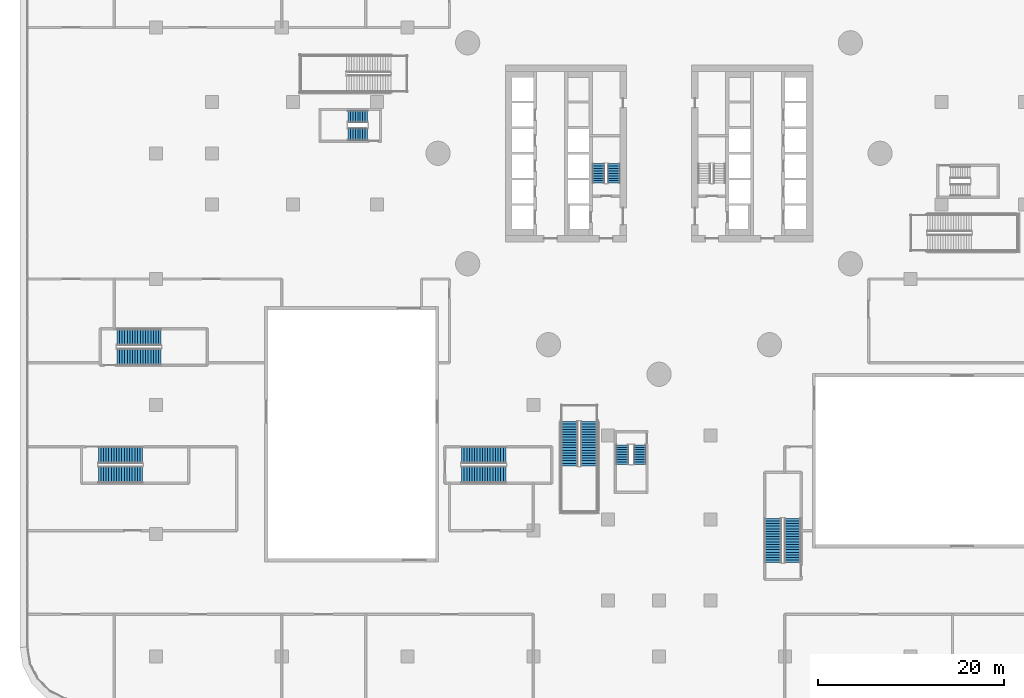
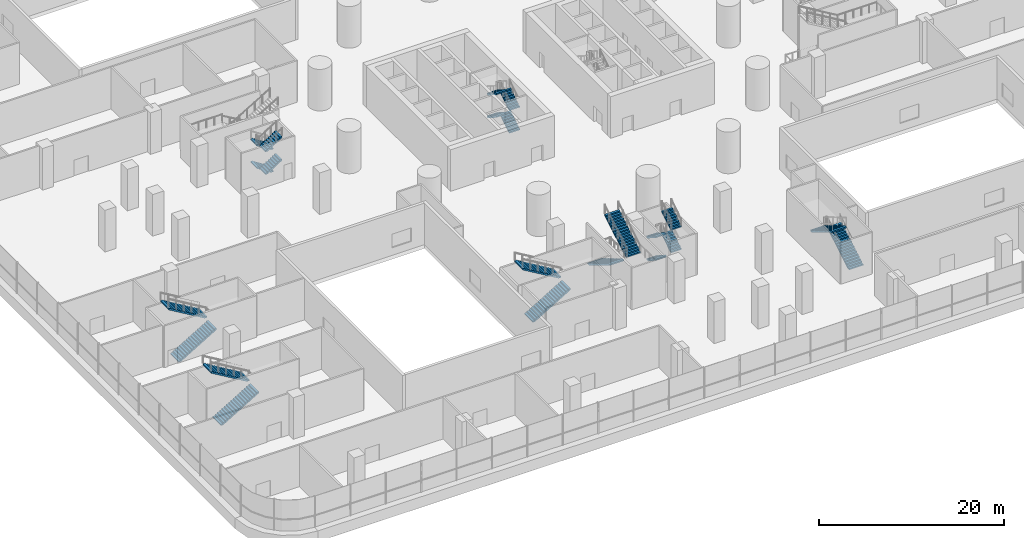
# One storey, part 36 of 52: 22 stair flights, 8 elements without a shape of their own.
"""IFC4 building model written with IfcOpenShell, lengths in metres."""

from ifc_helpers import new_model, si_unit, direction, frame, origin, place, context, subcontext, project, spatial, polyline, outline, extrude, material, type_object, element, aggregate, save


model = new_model("IFC4")

# Units and contexts
model_context = context("Model", 3, precision=1e-05, world=origin(), true_north=direction((0.0, 1.0)))
body_context = subcontext(model_context, "Body", "Model", "MODEL_VIEW")
ifc_project = project(units=[si_unit("LENGTHUNIT", "METRE"), si_unit("AREAUNIT", "SQUARE_METRE"), si_unit("VOLUMEUNIT", "CUBIC_METRE"), si_unit("PLANEANGLEUNIT", "RADIAN"), si_unit("MASSUNIT", "GRAM", prefix="KILO")], contexts=[model_context])

# Site, building, storey
site_placement = place(None, origin())
site = spatial("IfcSite", under=ifc_project, at=site_placement, CompositionType="ELEMENT")
building_placement = place(site_placement, origin())
building = spatial("IfcBuilding", under=site, at=building_placement, Name="Tamarind Cross Interchange Tower", CompositionType="ELEMENT")
storey_placement = place(building_placement, frame((0.0, 0.0, 9.0)))
storey = spatial("IfcBuildingStorey", under=building, at=storey_placement, Name="L01", CompositionType="ELEMENT", Elevation=9.0)

# Stair, stair flights
ifc_material_1 = material(Name="Exit stair")
stair_type_1 = type_object("IfcStairType", Name="Exit stair", PredefinedType="HALF_TURN_STAIR", material=ifc_material_1)
stair_1_placement = place(storey_placement, origin())
stair_1 = element("IfcStair", 1, at=stair_1_placement, inside=storey, type_object=stair_type_1, Name="L01 exit stair ST1", PredefinedType="HALF_TURN_STAIR")
ifc_material_2 = material(Name="Exit stair flight")
stair_flight_type_1 = type_object("IfcStairFlightType", Name="Exit stair flight", PredefinedType="STRAIGHT", material=ifc_material_2)
stair_flight_1_placement = place(storey_placement, frame((-4.85009765625, -3.199951171875, 0.0), z_axis=(0.0, 0.0, 1.0), x_axis=(0.0, 1.0, 0.0)))
stair_flight_1 = element("IfcStairFlight", 2, at=stair_flight_1_placement, type_object=stair_flight_type_1, Name="ST1 flight 1", NumberOfRisers=9, NumberOfTreads=8, PredefinedType="STRAIGHT", RiserHeight=0.166666667, TreadLength=0.26, context=body_context, shape_type="SweptSolid", body=[
    extrude(outline(polyline([(0.0, 0.0), (0.0, 0.166748046875), (0.260009765625, 0.166748046875), (0.260009765625, 0.333251953125), (0.52001953125, 0.333251953125), (0.52001953125, 0.5), (0.780029296875, 0.5), (0.780029296875, 0.666748046875), (1.0400390625, 0.666748046875), (1.0400390625, 0.833251953125), (1.300048828125, 0.833251953125), (1.300048828125, 1.0), (1.56005859375, 1.0), (1.56005859375, 1.166748046875), (1.820068359375, 1.166748046875), (1.820068359375, 1.333251953125), (2.080078125, 1.333251953125), (2.080078125, 1.5), (2.080078125, 1.1552734375), (0.27783203125, 0.0), (0.0, 0.0)])), frame((0.0, 0.64990234375, 0.0), z_axis=(0.0, -1.0, 0.0), x_axis=(1.0, 0.0, 0.0)), (0.0, 0.0, 1.0), 1.300048828125),
])
stair_flight_2_placement = place(storey_placement, frame((-6.5, -1.1201171875, 1.5), z_axis=(0.0, 0.0, 1.0), x_axis=(0.0, -1.0, 0.0)))
stair_flight_2 = element("IfcStairFlight", 3, at=stair_flight_2_placement, type_object=stair_flight_type_1, Name="ST1 flight 2", NumberOfRisers=9, NumberOfTreads=8, PredefinedType="STRAIGHT", RiserHeight=0.166666667, TreadLength=0.26, context=body_context, shape_type="SweptSolid", body=[
    extrude(outline(polyline([(0.0, 0.0), (0.0, 0.166748046875), (0.260009765625, 0.166748046875), (0.260009765625, 0.333251953125), (0.52001953125, 0.333251953125), (0.52001953125, 0.5), (0.780029296875, 0.5), (0.780029296875, 0.666748046875), (1.0400390625, 0.666748046875), (1.0400390625, 0.833251953125), (1.300048828125, 0.833251953125), (1.300048828125, 1.0), (1.56005859375, 1.0), (1.56005859375, 1.166748046875), (1.820068359375, 1.166748046875), (1.820068359375, 1.333251953125), (2.080078125, 1.333251953125), (2.080078125, 1.5), (2.080078125, 1.1552734375), (0.27783203125, 0.0), (0.0, 0.0)])), frame((0.0, 0.64990234375, 0.0), z_axis=(0.0, -1.0, 0.0), x_axis=(1.0, 0.0, 0.0)), (0.0, 0.0, 1.0), 1.300048828125),
])
stair_flight_3_placement = place(storey_placement, frame((-4.85009765625, -3.199951171875, 3.0), z_axis=(0.0, 0.0, 1.0), x_axis=(0.0, 1.0, 0.0)))
stair_flight_3 = element("IfcStairFlight", 4, at=stair_flight_3_placement, type_object=stair_flight_type_1, Name="ST1 flight 3", NumberOfRisers=9, NumberOfTreads=8, PredefinedType="STRAIGHT", RiserHeight=0.166666667, TreadLength=0.26, context=body_context, shape_type="SweptSolid", body=[
    extrude(outline(polyline([(0.0, 0.0), (0.0, 0.166748046875), (0.260009765625, 0.166748046875), (0.260009765625, 0.333251953125), (0.52001953125, 0.333251953125), (0.52001953125, 0.5), (0.780029296875, 0.5), (0.780029296875, 0.666748046875), (1.0400390625, 0.666748046875), (1.0400390625, 0.833251953125), (1.300048828125, 0.833251953125), (1.300048828125, 1.0), (1.56005859375, 1.0), (1.56005859375, 1.166748046875), (1.820068359375, 1.166748046875), (1.820068359375, 1.333251953125), (2.080078125, 1.333251953125), (2.080078125, 1.5), (2.080078125, 1.1552734375), (0.27783203125, 0.0), (0.0, 0.0)])), frame((0.0, 0.64990234375, 0.0), z_axis=(0.0, -1.0, 0.0), x_axis=(1.0, 0.0, 0.0)), (0.0, 0.0, 1.0), 1.300048828125),
])
stair_flight_4_placement = place(storey_placement, frame((-6.5, -1.1201171875, 4.5), z_axis=(0.0, 0.0, 1.0), x_axis=(0.0, -1.0, 0.0)))
stair_flight_4 = element("IfcStairFlight", 5, at=stair_flight_4_placement, type_object=stair_flight_type_1, Name="ST1 flight 4", NumberOfRisers=9, NumberOfTreads=8, PredefinedType="STRAIGHT", RiserHeight=0.166666667, TreadLength=0.26, context=body_context, shape_type="SweptSolid", body=[
    extrude(outline(polyline([(0.0, 0.0), (0.0, 0.166748046875), (0.260009765625, 0.166748046875), (0.260009765625, 0.333251953125), (0.52001953125, 0.333251953125), (0.52001953125, 0.5), (0.780029296875, 0.5), (0.780029296875, 0.666748046875), (1.0400390625, 0.666748046875), (1.0400390625, 0.833251953125), (1.300048828125, 0.833251953125), (1.300048828125, 1.0), (1.56005859375, 1.0), (1.56005859375, 1.166748046875), (1.820068359375, 1.166748046875), (1.820068359375, 1.333251953125), (2.080078125, 1.333251953125), (2.080078125, 1.5), (2.080078125, 1.1552734375), (0.27783203125, 0.0), (0.0, 0.0)])), frame((0.0, 0.64990234375, 0.0), z_axis=(0.0, -1.0, 0.0), x_axis=(1.0, 0.0, 0.0)), (0.0, 0.0, 1.0), 1.300048828125),
])
aggregate(stair_1, [stair_flight_1, stair_flight_2, stair_flight_3, stair_flight_4])

stair_2_placement = place(storey_placement, origin())
stair_2 = element("IfcStair", 6, at=stair_2_placement, inside=storey, type_object=stair_type_1, Name="L01 exit stair ST5", PredefinedType="HALF_TURN_STAIR")
stair_flight_5_placement = place(storey_placement, frame((-31.300048828125, 3.949951171875, 0.0), z_axis=(0.0, 0.0, 1.0), x_axis=(-1.0, 0.0, 0.0)))
stair_flight_5 = element("IfcStairFlight", 7, at=stair_flight_5_placement, type_object=stair_flight_type_1, Name="ST5 flight 1", NumberOfRisers=9, NumberOfTreads=8, PredefinedType="STRAIGHT", RiserHeight=0.166666667, TreadLength=0.26, context=body_context, shape_type="SweptSolid", body=[
    extrude(outline(polyline([(0.0, 0.0), (0.0, 0.166748046875), (0.260009765625, 0.166748046875), (0.260009765625, 0.333251953125), (0.52001953125, 0.333251953125), (0.52001953125, 0.5), (0.780029296875, 0.5), (0.780029296875, 0.666748046875), (1.0400390625, 0.666748046875), (1.0400390625, 0.833251953125), (1.300048828125, 0.833251953125), (1.300048828125, 1.0), (1.56005859375, 1.0), (1.56005859375, 1.166748046875), (1.820068359375, 1.166748046875), (1.820068359375, 1.333251953125), (2.080078125, 1.333251953125), (2.080078125, 1.5), (2.080078125, 1.1552734375), (0.27783203125, 0.0), (0.0, 0.0)])), frame((0.0, 0.64990234375, 0.0), z_axis=(0.0, -1.0, 0.0), x_axis=(1.0, 0.0, 0.0)), (0.0, 0.0, 1.0), 1.300048828125),
])
stair_flight_6_placement = place(storey_placement, frame((-33.3798828125, 2.050048828125, 1.5), z_axis=(0.0, 0.0, 1.0), x_axis=(1.0, 0.0, 0.0)))
stair_flight_6 = element("IfcStairFlight", 8, at=stair_flight_6_placement, type_object=stair_flight_type_1, Name="ST5 flight 2", NumberOfRisers=9, NumberOfTreads=8, PredefinedType="STRAIGHT", RiserHeight=0.166666667, TreadLength=0.26, context=body_context, shape_type="SweptSolid", body=[
    extrude(outline(polyline([(0.0, 0.0), (0.0, 0.166748046875), (0.260009765625, 0.166748046875), (0.260009765625, 0.333251953125), (0.52001953125, 0.333251953125), (0.52001953125, 0.5), (0.780029296875, 0.5), (0.780029296875, 0.666748046875), (1.0400390625, 0.666748046875), (1.0400390625, 0.833251953125), (1.300048828125, 0.833251953125), (1.300048828125, 1.0), (1.56005859375, 1.0), (1.56005859375, 1.166748046875), (1.820068359375, 1.166748046875), (1.820068359375, 1.333251953125), (2.080078125, 1.333251953125), (2.080078125, 1.5), (2.080078125, 1.1552734375), (0.27783203125, 0.0), (0.0, 0.0)])), frame((0.0, 0.64990234375, 0.0), z_axis=(0.0, -1.0, 0.0), x_axis=(1.0, 0.0, 0.0)), (0.0, 0.0, 1.0), 1.300048828125),
])
stair_flight_7_placement = place(storey_placement, frame((-31.300048828125, 3.949951171875, 3.0), z_axis=(0.0, 0.0, 1.0), x_axis=(-1.0, 0.0, 0.0)))
stair_flight_7 = element("IfcStairFlight", 9, at=stair_flight_7_placement, type_object=stair_flight_type_1, Name="ST5 flight 3", NumberOfRisers=9, NumberOfTreads=8, PredefinedType="STRAIGHT", RiserHeight=0.166666667, TreadLength=0.26, context=body_context, shape_type="SweptSolid", body=[
    extrude(outline(polyline([(0.0, 0.0), (0.0, 0.166748046875), (0.260009765625, 0.166748046875), (0.260009765625, 0.333251953125), (0.52001953125, 0.333251953125), (0.52001953125, 0.5), (0.780029296875, 0.5), (0.780029296875, 0.666748046875), (1.0400390625, 0.666748046875), (1.0400390625, 0.833251953125), (1.300048828125, 0.833251953125), (1.300048828125, 1.0), (1.56005859375, 1.0), (1.56005859375, 1.166748046875), (1.820068359375, 1.166748046875), (1.820068359375, 1.333251953125), (2.080078125, 1.333251953125), (2.080078125, 1.5), (2.080078125, 1.1552734375), (0.27783203125, 0.0), (0.0, 0.0)])), frame((0.0, 0.64990234375, 0.0), z_axis=(0.0, -1.0, 0.0), x_axis=(1.0, 0.0, 0.0)), (0.0, 0.0, 1.0), 1.300048828125),
])
stair_flight_8_placement = place(storey_placement, frame((-33.3798828125, 2.050048828125, 4.5), z_axis=(0.0, 0.0, 1.0), x_axis=(1.0, 0.0, 0.0)))
stair_flight_8 = element("IfcStairFlight", 10, at=stair_flight_8_placement, type_object=stair_flight_type_1, Name="ST5 flight 4", NumberOfRisers=9, NumberOfTreads=8, PredefinedType="STRAIGHT", RiserHeight=0.166666667, TreadLength=0.26, context=body_context, shape_type="SweptSolid", body=[
    extrude(outline(polyline([(0.0, 0.0), (0.0, 0.166748046875), (0.260009765625, 0.166748046875), (0.260009765625, 0.333251953125), (0.52001953125, 0.333251953125), (0.52001953125, 0.5), (0.780029296875, 0.5), (0.780029296875, 0.666748046875), (1.0400390625, 0.666748046875), (1.0400390625, 0.833251953125), (1.300048828125, 0.833251953125), (1.300048828125, 1.0), (1.56005859375, 1.0), (1.56005859375, 1.166748046875), (1.820068359375, 1.166748046875), (1.820068359375, 1.333251953125), (2.080078125, 1.333251953125), (2.080078125, 1.5), (2.080078125, 1.1552734375), (0.27783203125, 0.0), (0.0, 0.0)])), frame((0.0, 0.64990234375, 0.0), z_axis=(0.0, -1.0, 0.0), x_axis=(1.0, 0.0, 0.0)), (0.0, 0.0, 1.0), 1.300048828125),
])
aggregate(stair_2, [stair_flight_5, stair_flight_6, stair_flight_7, stair_flight_8])

stair_3_placement = place(storey_placement, origin())
stair_3 = element("IfcStair", 11, at=stair_3_placement, inside=storey, type_object=stair_type_1, Name="L01 exit stair ST6", PredefinedType="HALF_TURN_STAIR")
stair_flight_9_placement = place(storey_placement, frame((-3.949951171875, -31.300048828125, 0.0), z_axis=(0.0, 0.0, 1.0), x_axis=(0.0, -1.0, 0.0)))
stair_flight_9 = element("IfcStairFlight", 12, at=stair_flight_9_placement, type_object=stair_flight_type_1, Name="ST6 flight 1", NumberOfRisers=9, NumberOfTreads=8, PredefinedType="STRAIGHT", RiserHeight=0.166666667, TreadLength=0.26, context=body_context, shape_type="SweptSolid", body=[
    extrude(outline(polyline([(0.0, 0.0), (0.0, 0.166748046875), (0.260009765625, 0.166748046875), (0.260009765625, 0.333251953125), (0.52001953125, 0.333251953125), (0.52001953125, 0.5), (0.780029296875, 0.5), (0.780029296875, 0.666748046875), (1.0400390625, 0.666748046875), (1.0400390625, 0.833251953125), (1.300048828125, 0.833251953125), (1.300048828125, 1.0), (1.56005859375, 1.0), (1.56005859375, 1.166748046875), (1.820068359375, 1.166748046875), (1.820068359375, 1.333251953125), (2.080078125, 1.333251953125), (2.080078125, 1.5), (2.080078125, 1.1552734375), (0.27783203125, 0.0), (0.0, 0.0)])), frame((0.0, 0.64990234375, 0.0), z_axis=(0.0, -1.0, 0.0), x_axis=(1.0, 0.0, 0.0)), (0.0, 0.0, 1.0), 1.300048828125),
])
stair_flight_10_placement = place(storey_placement, frame((-2.050048828125, -33.3798828125, 1.5), z_axis=(0.0, 0.0, 1.0), x_axis=(0.0, 1.0, 0.0)))
stair_flight_10 = element("IfcStairFlight", 13, at=stair_flight_10_placement, type_object=stair_flight_type_1, Name="ST6 flight 2", NumberOfRisers=9, NumberOfTreads=8, PredefinedType="STRAIGHT", RiserHeight=0.166666667, TreadLength=0.26, context=body_context, shape_type="SweptSolid", body=[
    extrude(outline(polyline([(0.0, 0.0), (0.0, 0.166748046875), (0.260009765625, 0.166748046875), (0.260009765625, 0.333251953125), (0.52001953125, 0.333251953125), (0.52001953125, 0.5), (0.780029296875, 0.5), (0.780029296875, 0.666748046875), (1.0400390625, 0.666748046875), (1.0400390625, 0.833251953125), (1.300048828125, 0.833251953125), (1.300048828125, 1.0), (1.56005859375, 1.0), (1.56005859375, 1.166748046875), (1.820068359375, 1.166748046875), (1.820068359375, 1.333251953125), (2.080078125, 1.333251953125), (2.080078125, 1.5), (2.080078125, 1.1552734375), (0.27783203125, 0.0), (0.0, 0.0)])), frame((0.0, 0.64990234375, 0.0), z_axis=(0.0, -1.0, 0.0), x_axis=(1.0, 0.0, 0.0)), (0.0, 0.0, 1.0), 1.300048828125),
])
stair_flight_11_placement = place(storey_placement, frame((-3.949951171875, -31.300048828125, 3.0), z_axis=(0.0, 0.0, 1.0), x_axis=(0.0, -1.0, 0.0)))
stair_flight_11 = element("IfcStairFlight", 14, at=stair_flight_11_placement, type_object=stair_flight_type_1, Name="ST6 flight 3", NumberOfRisers=9, NumberOfTreads=8, PredefinedType="STRAIGHT", RiserHeight=0.166666667, TreadLength=0.26, context=body_context, shape_type="SweptSolid", body=[
    extrude(outline(polyline([(0.0, 0.0), (0.0, 0.166748046875), (0.260009765625, 0.166748046875), (0.260009765625, 0.333251953125), (0.52001953125, 0.333251953125), (0.52001953125, 0.5), (0.780029296875, 0.5), (0.780029296875, 0.666748046875), (1.0400390625, 0.666748046875), (1.0400390625, 0.833251953125), (1.300048828125, 0.833251953125), (1.300048828125, 1.0), (1.56005859375, 1.0), (1.56005859375, 1.166748046875), (1.820068359375, 1.166748046875), (1.820068359375, 1.333251953125), (2.080078125, 1.333251953125), (2.080078125, 1.5), (2.080078125, 1.1552734375), (0.27783203125, 0.0), (0.0, 0.0)])), frame((0.0, 0.64990234375, 0.0), z_axis=(0.0, -1.0, 0.0), x_axis=(1.0, 0.0, 0.0)), (0.0, 0.0, 1.0), 1.300048828125),
])
stair_flight_12_placement = place(storey_placement, frame((-2.050048828125, -33.3798828125, 4.5), z_axis=(0.0, 0.0, 1.0), x_axis=(0.0, 1.0, 0.0)))
stair_flight_12 = element("IfcStairFlight", 15, at=stair_flight_12_placement, type_object=stair_flight_type_1, Name="ST6 flight 4", NumberOfRisers=9, NumberOfTreads=8, PredefinedType="STRAIGHT", RiserHeight=0.166666667, TreadLength=0.26, context=body_context, shape_type="SweptSolid", body=[
    extrude(outline(polyline([(0.0, 0.0), (0.0, 0.166748046875), (0.260009765625, 0.166748046875), (0.260009765625, 0.333251953125), (0.52001953125, 0.333251953125), (0.52001953125, 0.5), (0.780029296875, 0.5), (0.780029296875, 0.666748046875), (1.0400390625, 0.666748046875), (1.0400390625, 0.833251953125), (1.300048828125, 0.833251953125), (1.300048828125, 1.0), (1.56005859375, 1.0), (1.56005859375, 1.166748046875), (1.820068359375, 1.166748046875), (1.820068359375, 1.333251953125), (2.080078125, 1.333251953125), (2.080078125, 1.5), (2.080078125, 1.1552734375), (0.27783203125, 0.0), (0.0, 0.0)])), frame((0.0, 0.64990234375, 0.0), z_axis=(0.0, -1.0, 0.0), x_axis=(1.0, 0.0, 0.0)), (0.0, 0.0, 1.0), 1.300048828125),
])
aggregate(stair_3, [stair_flight_9, stair_flight_10, stair_flight_11, stair_flight_12])

ifc_material_3 = material(Name="Public stair")
stair_type_2 = type_object("IfcStairType", Name="Public stair", PredefinedType="HALF_TURN_STAIR", material=ifc_material_3)
stair_4_placement = place(storey_placement, origin())
stair_4 = element("IfcStair", 16, at=stair_4_placement, inside=storey, type_object=stair_type_2, Name="L01 public stair PS-S", PredefinedType="HALF_TURN_STAIR")
ifc_material_4 = material(Name="Public stair flight")
stair_flight_type_2 = type_object("IfcStairFlightType", Name="Public stair flight", PredefinedType="STRAIGHT", material=ifc_material_4)
stair_flight_13_placement = place(storey_placement, frame((-9.60009765625, -28.800048828125, 0.0), z_axis=(0.0, 0.0, 1.0), x_axis=(0.0, -1.0, 0.0)))
stair_flight_13 = element("IfcStairFlight", 17, at=stair_flight_13_placement, type_object=stair_flight_type_2, Name="PS-S flight 1", NumberOfRisers=18, NumberOfTreads=17, PredefinedType="STRAIGHT", RiserHeight=0.166666667, TreadLength=0.28, context=body_context, shape_type="SweptSolid", body=[
    extrude(outline(polyline([(0.0, 0.0), (0.0, 0.166748046875), (0.280029296875, 0.166748046875), (0.280029296875, 0.333251953125), (0.56005859375, 0.333251953125), (0.56005859375, 0.5), (0.840087890625, 0.5), (0.840087890625, 0.666748046875), (1.1201171875, 0.666748046875), (1.1201171875, 0.833251953125), (1.39990234375, 0.833251953125), (1.39990234375, 1.0), (1.679931640625, 1.0), (1.679931640625, 1.166748046875), (1.9599609375, 1.166748046875), (1.9599609375, 1.333251953125), (2.239990234375, 1.333251953125), (2.239990234375, 1.5), (2.52001953125, 1.5), (2.52001953125, 1.666748046875), (2.800048828125, 1.666748046875), (2.800048828125, 1.833251953125), (3.080078125, 1.833251953125), (3.080078125, 2.0), (3.360107421875, 2.0), (3.360107421875, 2.166748046875), (3.639892578125, 2.166748046875), (3.639892578125, 2.333251953125), (3.919921875, 2.333251953125), (3.919921875, 2.5), (4.199951171875, 2.5), (4.199951171875, 2.666748046875), (4.47998046875, 2.666748046875), (4.47998046875, 2.833251953125), (4.760009765625, 2.833251953125), (4.760009765625, 3.0), (4.760009765625, 2.658935546875), (0.29296875, 0.0), (0.0, 0.0)])), frame((0.0, 0.89990234375, 0.0), z_axis=(0.0, -1.0, 0.0), x_axis=(1.0, 0.0, 0.0)), (0.0, 0.0, 1.0), 1.800048828125),
])
stair_flight_14_placement = place(storey_placement, frame((-7.5, -33.56005859375, 3.0), z_axis=(0.0, 0.0, 1.0), x_axis=(0.0, 1.0, 0.0)))
stair_flight_14 = element("IfcStairFlight", 18, at=stair_flight_14_placement, type_object=stair_flight_type_2, Name="PS-S flight 2", NumberOfRisers=18, NumberOfTreads=17, PredefinedType="STRAIGHT", RiserHeight=0.166666667, TreadLength=0.28, context=body_context, shape_type="SweptSolid", body=[
    extrude(outline(polyline([(0.0, 0.0), (0.0, 0.166748046875), (0.280029296875, 0.166748046875), (0.280029296875, 0.333251953125), (0.56005859375, 0.333251953125), (0.56005859375, 0.5), (0.840087890625, 0.5), (0.840087890625, 0.666748046875), (1.1201171875, 0.666748046875), (1.1201171875, 0.833251953125), (1.39990234375, 0.833251953125), (1.39990234375, 1.0), (1.679931640625, 1.0), (1.679931640625, 1.166748046875), (1.9599609375, 1.166748046875), (1.9599609375, 1.333251953125), (2.239990234375, 1.333251953125), (2.239990234375, 1.5), (2.52001953125, 1.5), (2.52001953125, 1.666748046875), (2.800048828125, 1.666748046875), (2.800048828125, 1.833251953125), (3.080078125, 1.833251953125), (3.080078125, 2.0), (3.360107421875, 2.0), (3.360107421875, 2.166748046875), (3.639892578125, 2.166748046875), (3.639892578125, 2.333251953125), (3.919921875, 2.333251953125), (3.919921875, 2.5), (4.199951171875, 2.5), (4.199951171875, 2.666748046875), (4.47998046875, 2.666748046875), (4.47998046875, 2.833251953125), (4.760009765625, 2.833251953125), (4.760009765625, 3.0), (4.760009765625, 2.658935546875), (0.29296875, 0.0), (0.0, 0.0)])), frame((0.0, 0.89990234375, 0.0), z_axis=(0.0, -1.0, 0.0), x_axis=(1.0, 0.0, 0.0)), (0.0, 0.0, 1.0), 1.800048828125),
])
aggregate(stair_4, [stair_flight_13, stair_flight_14])

stair_5_placement = place(storey_placement, origin())
stair_5 = element("IfcStair", 19, at=stair_5_placement, inside=storey, type_object=stair_type_2, Name="L01 exit stair XS-P07", PredefinedType="HALF_TURN_STAIR")
stair_flight_15_placement = place(storey_placement, frame((-60.199951171875, -34.5, 0.0), z_axis=(0.0, 0.0, 1.0), x_axis=(1.0, 0.0, 0.0)))
stair_flight_15 = element("IfcStairFlight", 20, at=stair_flight_15_placement, type_object=stair_flight_type_2, Name="XS-P07 flight 1", NumberOfRisers=18, NumberOfTreads=17, PredefinedType="STRAIGHT", RiserHeight=0.166666667, TreadLength=0.28, context=body_context, shape_type="SweptSolid", body=[
    extrude(outline(polyline([(0.0, 0.0), (0.0, 0.166748046875), (0.280029296875, 0.166748046875), (0.280029296875, 0.333251953125), (0.56005859375, 0.333251953125), (0.56005859375, 0.5), (0.840087890625, 0.5), (0.840087890625, 0.666748046875), (1.1201171875, 0.666748046875), (1.1201171875, 0.833251953125), (1.39990234375, 0.833251953125), (1.39990234375, 1.0), (1.679931640625, 1.0), (1.679931640625, 1.166748046875), (1.9599609375, 1.166748046875), (1.9599609375, 1.333251953125), (2.239990234375, 1.333251953125), (2.239990234375, 1.5), (2.52001953125, 1.5), (2.52001953125, 1.666748046875), (2.800048828125, 1.666748046875), (2.800048828125, 1.833251953125), (3.080078125, 1.833251953125), (3.080078125, 2.0), (3.360107421875, 2.0), (3.360107421875, 2.166748046875), (3.639892578125, 2.166748046875), (3.639892578125, 2.333251953125), (3.919921875, 2.333251953125), (3.919921875, 2.5), (4.199951171875, 2.5), (4.199951171875, 2.666748046875), (4.47998046875, 2.666748046875), (4.47998046875, 2.833251953125), (4.760009765625, 2.833251953125), (4.760009765625, 3.0), (4.760009765625, 2.658935546875), (0.29296875, 0.0), (0.0, 0.0)])), frame((0.0, 0.89990234375, 0.0), z_axis=(0.0, -1.0, 0.0), x_axis=(1.0, 0.0, 0.0)), (0.0, 0.0, 1.0), 1.800048828125),
])
stair_flight_16_placement = place(storey_placement, frame((-55.43994140625, -32.39990234375, 3.0), z_axis=(0.0, 0.0, 1.0), x_axis=(-1.0, 0.0, 0.0)))
stair_flight_16 = element("IfcStairFlight", 21, at=stair_flight_16_placement, type_object=stair_flight_type_2, Name="XS-P07 flight 2", NumberOfRisers=18, NumberOfTreads=17, PredefinedType="STRAIGHT", RiserHeight=0.166666667, TreadLength=0.28, context=body_context, shape_type="SweptSolid", body=[
    extrude(outline(polyline([(0.0, 0.0), (0.0, 0.166748046875), (0.280029296875, 0.166748046875), (0.280029296875, 0.333251953125), (0.56005859375, 0.333251953125), (0.56005859375, 0.5), (0.840087890625, 0.5), (0.840087890625, 0.666748046875), (1.1201171875, 0.666748046875), (1.1201171875, 0.833251953125), (1.39990234375, 0.833251953125), (1.39990234375, 1.0), (1.679931640625, 1.0), (1.679931640625, 1.166748046875), (1.9599609375, 1.166748046875), (1.9599609375, 1.333251953125), (2.239990234375, 1.333251953125), (2.239990234375, 1.5), (2.52001953125, 1.5), (2.52001953125, 1.666748046875), (2.800048828125, 1.666748046875), (2.800048828125, 1.833251953125), (3.080078125, 1.833251953125), (3.080078125, 2.0), (3.360107421875, 2.0), (3.360107421875, 2.166748046875), (3.639892578125, 2.166748046875), (3.639892578125, 2.333251953125), (3.919921875, 2.333251953125), (3.919921875, 2.5), (4.199951171875, 2.5), (4.199951171875, 2.666748046875), (4.47998046875, 2.666748046875), (4.47998046875, 2.833251953125), (4.760009765625, 2.833251953125), (4.760009765625, 3.0), (4.760009765625, 2.658935546875), (0.29296875, 0.0), (0.0, 0.0)])), frame((0.0, 0.89990234375, 0.0), z_axis=(0.0, -1.0, 0.0), x_axis=(1.0, 0.0, 0.0)), (0.0, 0.0, 1.0), 1.800048828125),
])
aggregate(stair_5, [stair_flight_15, stair_flight_16])

stair_6_placement = place(storey_placement, origin())
stair_6 = element("IfcStair", 22, at=stair_6_placement, inside=storey, type_object=stair_type_2, Name="L01 exit stair XS-P08", PredefinedType="HALF_TURN_STAIR")
stair_flight_17_placement = place(storey_placement, frame((-58.199951171875, -21.85009765625, 0.0), z_axis=(0.0, 0.0, 1.0), x_axis=(1.0, 0.0, 0.0)))
stair_flight_17 = element("IfcStairFlight", 23, at=stair_flight_17_placement, type_object=stair_flight_type_2, Name="XS-P08 flight 1", NumberOfRisers=18, NumberOfTreads=17, PredefinedType="STRAIGHT", RiserHeight=0.166666667, TreadLength=0.28, context=body_context, shape_type="SweptSolid", body=[
    extrude(outline(polyline([(0.0, 0.0), (0.0, 0.166748046875), (0.280029296875, 0.166748046875), (0.280029296875, 0.333251953125), (0.56005859375, 0.333251953125), (0.56005859375, 0.5), (0.840087890625, 0.5), (0.840087890625, 0.666748046875), (1.1201171875, 0.666748046875), (1.1201171875, 0.833251953125), (1.39990234375, 0.833251953125), (1.39990234375, 1.0), (1.679931640625, 1.0), (1.679931640625, 1.166748046875), (1.9599609375, 1.166748046875), (1.9599609375, 1.333251953125), (2.239990234375, 1.333251953125), (2.239990234375, 1.5), (2.52001953125, 1.5), (2.52001953125, 1.666748046875), (2.800048828125, 1.666748046875), (2.800048828125, 1.833251953125), (3.080078125, 1.833251953125), (3.080078125, 2.0), (3.360107421875, 2.0), (3.360107421875, 2.166748046875), (3.639892578125, 2.166748046875), (3.639892578125, 2.333251953125), (3.919921875, 2.333251953125), (3.919921875, 2.5), (4.199951171875, 2.5), (4.199951171875, 2.666748046875), (4.47998046875, 2.666748046875), (4.47998046875, 2.833251953125), (4.760009765625, 2.833251953125), (4.760009765625, 3.0), (4.760009765625, 2.658935546875), (0.29296875, 0.0), (0.0, 0.0)])), frame((0.0, 0.89990234375, 0.0), z_axis=(0.0, -1.0, 0.0), x_axis=(1.0, 0.0, 0.0)), (0.0, 0.0, 1.0), 1.800048828125),
])
stair_flight_18_placement = place(storey_placement, frame((-53.43994140625, -19.75, 3.0), z_axis=(0.0, 0.0, 1.0), x_axis=(-1.0, 0.0, 0.0)))
stair_flight_18 = element("IfcStairFlight", 24, at=stair_flight_18_placement, type_object=stair_flight_type_2, Name="XS-P08 flight 2", NumberOfRisers=18, NumberOfTreads=17, PredefinedType="STRAIGHT", RiserHeight=0.166666667, TreadLength=0.28, context=body_context, shape_type="SweptSolid", body=[
    extrude(outline(polyline([(0.0, 0.0), (0.0, 0.166748046875), (0.280029296875, 0.166748046875), (0.280029296875, 0.333251953125), (0.56005859375, 0.333251953125), (0.56005859375, 0.5), (0.840087890625, 0.5), (0.840087890625, 0.666748046875), (1.1201171875, 0.666748046875), (1.1201171875, 0.833251953125), (1.39990234375, 0.833251953125), (1.39990234375, 1.0), (1.679931640625, 1.0), (1.679931640625, 1.166748046875), (1.9599609375, 1.166748046875), (1.9599609375, 1.333251953125), (2.239990234375, 1.333251953125), (2.239990234375, 1.5), (2.52001953125, 1.5), (2.52001953125, 1.666748046875), (2.800048828125, 1.666748046875), (2.800048828125, 1.833251953125), (3.080078125, 1.833251953125), (3.080078125, 2.0), (3.360107421875, 2.0), (3.360107421875, 2.166748046875), (3.639892578125, 2.166748046875), (3.639892578125, 2.333251953125), (3.919921875, 2.333251953125), (3.919921875, 2.5), (4.199951171875, 2.5), (4.199951171875, 2.666748046875), (4.47998046875, 2.666748046875), (4.47998046875, 2.833251953125), (4.760009765625, 2.833251953125), (4.760009765625, 3.0), (4.760009765625, 2.658935546875), (0.29296875, 0.0), (0.0, 0.0)])), frame((0.0, 0.89990234375, 0.0), z_axis=(0.0, -1.0, 0.0), x_axis=(1.0, 0.0, 0.0)), (0.0, 0.0, 1.0), 1.800048828125),
])
aggregate(stair_6, [stair_flight_17, stair_flight_18])

stair_7_placement = place(storey_placement, origin())
stair_7 = element("IfcStair", 25, at=stair_7_placement, inside=storey, type_object=stair_type_2, Name="L01 exit stair XS-P09", PredefinedType="HALF_TURN_STAIR")
stair_flight_19_placement = place(storey_placement, frame((-21.199951171875, -34.5, 0.0), z_axis=(0.0, 0.0, 1.0), x_axis=(1.0, 0.0, 0.0)))
stair_flight_19 = element("IfcStairFlight", 26, at=stair_flight_19_placement, type_object=stair_flight_type_2, Name="XS-P09 flight 1", NumberOfRisers=18, NumberOfTreads=17, PredefinedType="STRAIGHT", RiserHeight=0.166666667, TreadLength=0.28, context=body_context, shape_type="SweptSolid", body=[
    extrude(outline(polyline([(0.0, 0.0), (0.0, 0.166748046875), (0.280029296875, 0.166748046875), (0.280029296875, 0.333251953125), (0.56005859375, 0.333251953125), (0.56005859375, 0.5), (0.840087890625, 0.5), (0.840087890625, 0.666748046875), (1.1201171875, 0.666748046875), (1.1201171875, 0.833251953125), (1.39990234375, 0.833251953125), (1.39990234375, 1.0), (1.679931640625, 1.0), (1.679931640625, 1.166748046875), (1.9599609375, 1.166748046875), (1.9599609375, 1.333251953125), (2.239990234375, 1.333251953125), (2.239990234375, 1.5), (2.52001953125, 1.5), (2.52001953125, 1.666748046875), (2.800048828125, 1.666748046875), (2.800048828125, 1.833251953125), (3.080078125, 1.833251953125), (3.080078125, 2.0), (3.360107421875, 2.0), (3.360107421875, 2.166748046875), (3.639892578125, 2.166748046875), (3.639892578125, 2.333251953125), (3.919921875, 2.333251953125), (3.919921875, 2.5), (4.199951171875, 2.5), (4.199951171875, 2.666748046875), (4.47998046875, 2.666748046875), (4.47998046875, 2.833251953125), (4.760009765625, 2.833251953125), (4.760009765625, 3.0), (4.760009765625, 2.658935546875), (0.29296875, 0.0), (0.0, 0.0)])), frame((0.0, 0.89990234375, 0.0), z_axis=(0.0, -1.0, 0.0), x_axis=(1.0, 0.0, 0.0)), (0.0, 0.0, 1.0), 1.800048828125),
])
stair_flight_20_placement = place(storey_placement, frame((-16.43994140625, -32.39990234375, 3.0), z_axis=(0.0, 0.0, 1.0), x_axis=(-1.0, 0.0, 0.0)))
stair_flight_20 = element("IfcStairFlight", 27, at=stair_flight_20_placement, type_object=stair_flight_type_2, Name="XS-P09 flight 2", NumberOfRisers=18, NumberOfTreads=17, PredefinedType="STRAIGHT", RiserHeight=0.166666667, TreadLength=0.28, context=body_context, shape_type="SweptSolid", body=[
    extrude(outline(polyline([(0.0, 0.0), (0.0, 0.166748046875), (0.280029296875, 0.166748046875), (0.280029296875, 0.333251953125), (0.56005859375, 0.333251953125), (0.56005859375, 0.5), (0.840087890625, 0.5), (0.840087890625, 0.666748046875), (1.1201171875, 0.666748046875), (1.1201171875, 0.833251953125), (1.39990234375, 0.833251953125), (1.39990234375, 1.0), (1.679931640625, 1.0), (1.679931640625, 1.166748046875), (1.9599609375, 1.166748046875), (1.9599609375, 1.333251953125), (2.239990234375, 1.333251953125), (2.239990234375, 1.5), (2.52001953125, 1.5), (2.52001953125, 1.666748046875), (2.800048828125, 1.666748046875), (2.800048828125, 1.833251953125), (3.080078125, 1.833251953125), (3.080078125, 2.0), (3.360107421875, 2.0), (3.360107421875, 2.166748046875), (3.639892578125, 2.166748046875), (3.639892578125, 2.333251953125), (3.919921875, 2.333251953125), (3.919921875, 2.5), (4.199951171875, 2.5), (4.199951171875, 2.666748046875), (4.47998046875, 2.666748046875), (4.47998046875, 2.833251953125), (4.760009765625, 2.833251953125), (4.760009765625, 3.0), (4.760009765625, 2.658935546875), (0.29296875, 0.0), (0.0, 0.0)])), frame((0.0, 0.89990234375, 0.0), z_axis=(0.0, -1.0, 0.0), x_axis=(1.0, 0.0, 0.0)), (0.0, 0.0, 1.0), 1.800048828125),
])
aggregate(stair_7, [stair_flight_19, stair_flight_20])

stair_8_placement = place(storey_placement, origin())
stair_8 = element("IfcStair", 28, at=stair_8_placement, inside=storey, type_object=stair_type_2, Name="L01 exit stair XS-P12", PredefinedType="HALF_TURN_STAIR")
stair_flight_21_placement = place(storey_placement, frame((14.35009765625, -43.949951171875, 0.0), z_axis=(0.0, 0.0, 1.0), x_axis=(0.0, 1.0, 0.0)))
stair_flight_21 = element("IfcStairFlight", 29, at=stair_flight_21_placement, type_object=stair_flight_type_2, Name="XS-P12 flight 1", NumberOfRisers=18, NumberOfTreads=17, PredefinedType="STRAIGHT", RiserHeight=0.166666667, TreadLength=0.28, context=body_context, shape_type="SweptSolid", body=[
    extrude(outline(polyline([(0.0, 0.0), (0.0, 0.166748046875), (0.280029296875, 0.166748046875), (0.280029296875, 0.333251953125), (0.56005859375, 0.333251953125), (0.56005859375, 0.5), (0.840087890625, 0.5), (0.840087890625, 0.666748046875), (1.1201171875, 0.666748046875), (1.1201171875, 0.833251953125), (1.39990234375, 0.833251953125), (1.39990234375, 1.0), (1.679931640625, 1.0), (1.679931640625, 1.166748046875), (1.9599609375, 1.166748046875), (1.9599609375, 1.333251953125), (2.239990234375, 1.333251953125), (2.239990234375, 1.5), (2.52001953125, 1.5), (2.52001953125, 1.666748046875), (2.800048828125, 1.666748046875), (2.800048828125, 1.833251953125), (3.080078125, 1.833251953125), (3.080078125, 2.0), (3.360107421875, 2.0), (3.360107421875, 2.166748046875), (3.639892578125, 2.166748046875), (3.639892578125, 2.333251953125), (3.919921875, 2.333251953125), (3.919921875, 2.5), (4.199951171875, 2.5), (4.199951171875, 2.666748046875), (4.47998046875, 2.666748046875), (4.47998046875, 2.833251953125), (4.760009765625, 2.833251953125), (4.760009765625, 3.0), (4.760009765625, 2.658935546875), (0.29296875, 0.0), (0.0, 0.0)])), frame((0.0, 0.89990234375, 0.0), z_axis=(0.0, -1.0, 0.0), x_axis=(1.0, 0.0, 0.0)), (0.0, 0.0, 1.0), 1.800048828125),
])
stair_flight_22_placement = place(storey_placement, frame((12.25, -39.18994140625, 3.0), z_axis=(0.0, 0.0, 1.0), x_axis=(0.0, -1.0, 0.0)))
stair_flight_22 = element("IfcStairFlight", 30, at=stair_flight_22_placement, type_object=stair_flight_type_2, Name="XS-P12 flight 2", NumberOfRisers=18, NumberOfTreads=17, PredefinedType="STRAIGHT", RiserHeight=0.166666667, TreadLength=0.28, context=body_context, shape_type="SweptSolid", body=[
    extrude(outline(polyline([(0.0, 0.0), (0.0, 0.166748046875), (0.280029296875, 0.166748046875), (0.280029296875, 0.333251953125), (0.56005859375, 0.333251953125), (0.56005859375, 0.5), (0.840087890625, 0.5), (0.840087890625, 0.666748046875), (1.1201171875, 0.666748046875), (1.1201171875, 0.833251953125), (1.39990234375, 0.833251953125), (1.39990234375, 1.0), (1.679931640625, 1.0), (1.679931640625, 1.166748046875), (1.9599609375, 1.166748046875), (1.9599609375, 1.333251953125), (2.239990234375, 1.333251953125), (2.239990234375, 1.5), (2.52001953125, 1.5), (2.52001953125, 1.666748046875), (2.800048828125, 1.666748046875), (2.800048828125, 1.833251953125), (3.080078125, 1.833251953125), (3.080078125, 2.0), (3.360107421875, 2.0), (3.360107421875, 2.166748046875), (3.639892578125, 2.166748046875), (3.639892578125, 2.333251953125), (3.919921875, 2.333251953125), (3.919921875, 2.5), (4.199951171875, 2.5), (4.199951171875, 2.666748046875), (4.47998046875, 2.666748046875), (4.47998046875, 2.833251953125), (4.760009765625, 2.833251953125), (4.760009765625, 3.0), (4.760009765625, 2.658935546875), (0.29296875, 0.0), (0.0, 0.0)])), frame((0.0, 0.89990234375, 0.0), z_axis=(0.0, -1.0, 0.0), x_axis=(1.0, 0.0, 0.0)), (0.0, 0.0, 1.0), 1.800048828125),
])
aggregate(stair_8, [stair_flight_21, stair_flight_22])

save(model, "model.ifc")
